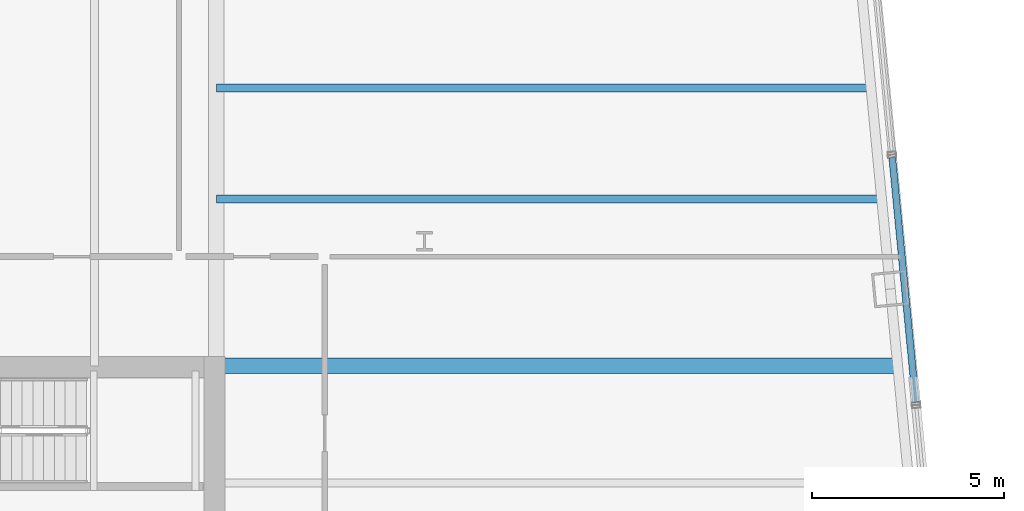
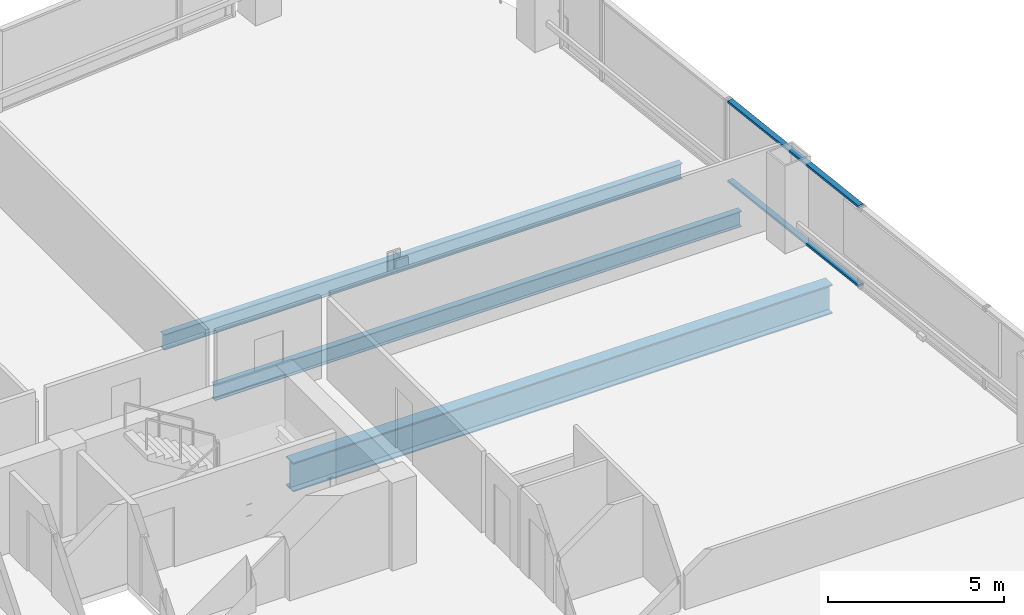
# One storey, part 25 of 34: 3 beams, 2 members, 1 element without a shape of its own.
"""IFC4 building model written with IfcOpenShell, lengths in metres."""

from ifc_helpers import new_model, si_unit, direction, frame, origin, origin_2d, place, context, subcontext, project, spatial, hollow_rectangle, i_section, extrude, material, layer, layer_set, material_profile, profile_set, type_object, element, aggregate, save


model = new_model("IFC4")

# Units and contexts
model_context = context("Model", 3, precision=1e-05, world=origin(), true_north=direction((0.0, 1.0)))
body_context = subcontext(model_context, "Body", "Model", "MODEL_VIEW")
ifc_project = project(units=[si_unit("LENGTHUNIT", "METRE"), si_unit("AREAUNIT", "SQUARE_METRE"), si_unit("VOLUMEUNIT", "CUBIC_METRE"), si_unit("PLANEANGLEUNIT", "RADIAN"), si_unit("MASSUNIT", "GRAM", prefix="KILO")], contexts=[model_context])

# Site, building, storey
site_placement = place(None, origin())
site = spatial("IfcSite", under=ifc_project, at=site_placement, CompositionType="ELEMENT")
building_placement = place(site_placement, origin())
building = spatial("IfcBuilding", under=site, at=building_placement, Name="Qhalaya Broadcast Tower", CompositionType="ELEMENT")
storey_placement = place(building_placement, frame((0.0, 0.0, 78.60009765625)))
storey = spatial("IfcBuildingStorey", under=building, at=storey_placement, Name="L22", CompositionType="ELEMENT", Elevation=78.60009765625)

# Beams
ifc_material_1 = material(Name="Structural Steel ASTM A992 Grade 50", Category="steel")
ifc_material_profile_1 = material_profile(ifc_material_1, i_section(OverallWidth=0.2099609375, OverallDepth=0.535888671875, WebThickness=0.010986328125, FlangeThickness=0.017333984375, at=origin_2d()), Name="W21X68")
ifc_profile_set_1 = profile_set([ifc_material_profile_1], Name="Structural Steel ASTM A992 Grade 50")
beam_type_1 = type_object("IfcBeamType", Name="Composite Floor Joist J02", PredefinedType="JOIST", material=ifc_profile_set_1)
beam_1_placement = place(storey_placement, frame((9.375, 14.300048828125, -0.488037109375), z_axis=(1.0, 0.0, 0.0), x_axis=(0.0, 1.0, 0.0)))
element("IfcBeam", 1, at=beam_1_placement, inside=storey, type_object=beam_type_1, Name="L22 J02 L22-JWE6E-1", PredefinedType="JOIST", context=body_context, shape_type="SweptSolid", body=[
    extrude(i_section(OverallWidth=0.2099609375, OverallDepth=0.535888671875, WebThickness=0.010986328125, FlangeThickness=0.017333984375, at=origin_2d()), origin(), (0.0, 0.0, 1.0), 17.3203125),
])
beam_2_placement = place(storey_placement, frame((9.375, 17.199951171875, -0.488037109375), z_axis=(1.0, 0.0, 0.0), x_axis=(0.0, 1.0, 0.0)))
element("IfcBeam", 2, at=beam_2_placement, inside=storey, type_object=beam_type_1, Name="L22 J02 L22-JWE7E-1", PredefinedType="JOIST", context=body_context, shape_type="SweptSolid", body=[
    extrude(i_section(OverallWidth=0.2099609375, OverallDepth=0.535888671875, WebThickness=0.010986328125, FlangeThickness=0.017333984375, at=origin_2d()), origin(), (0.0, 0.0, 1.0), 17.041015625),
])
ifc_material_profile_2 = material_profile(ifc_material_1, i_section(OverallWidth=0.40087890625, OverallDepth=1.010986328125, WebThickness=0.023681640625, FlangeThickness=0.0419921875, at=origin_2d()), Name="W40X297")
ifc_profile_set_2 = profile_set([ifc_material_profile_2], Name="Structural Steel ASTM A992 Grade 50")
beam_type_2 = type_object("IfcBeamType", Name="Lower Block Primary Girder PG2", PredefinedType="USERDEFINED", material=ifc_profile_set_2)
beam_3_placement = place(storey_placement, frame((9.375, 9.949951171875, -0.7255859375), z_axis=(1.0, 0.0, 0.0), x_axis=(0.0, 1.0, 0.0)))
element("IfcBeam", 3, at=beam_3_placement, inside=storey, type_object=beam_type_2, Name="L22 PG2 L22-PGYE4-1", ObjectType="GIRDER", PredefinedType="USERDEFINED", context=body_context, shape_type="SweptSolid", body=[
    extrude(i_section(OverallWidth=0.40087890625, OverallDepth=1.010986328125, WebThickness=0.023681640625, FlangeThickness=0.0419921875, at=origin_2d()), origin(), (0.0, 0.0, 1.0), 17.7392578125),
])

# Curtain wall, members
ifc_material_2 = material(Name="Solar-Control Low-E Triple Glazing", Category="glass")
ifc_layer = layer(ifc_material_2, 0.219970703125, Name="Solar-Control Low-E Triple Glazing")
ifc_layer_set = layer_set([ifc_layer], Name="Solar-Control Low-E Triple Glazing")
curtain_wall_type = type_object("IfcCurtainWallType", Name="Even-Block 4-Storey Double-Module Curtain Wall CW-03", PredefinedType="NOTDEFINED", material=ifc_layer_set)
curtain_wall_placement = place(storey_placement, origin())
curtain_wall = element("IfcCurtainWall", 4, at=curtain_wall_placement, inside=storey, type_object=curtain_wall_type, Name="L22 Unitised Curtain Wall L22-CW-E5", PredefinedType="NOTDEFINED")
ifc_material_3 = material(Name="Anodised Aluminium 6063-T6", Category="aluminium")
ifc_material_profile_3 = material_profile(ifc_material_3, hollow_rectangle(XDim=0.074951171875, YDim=0.179931640625, WallThickness=0.00390625, at=origin_2d()), Name="ALU-TRN 75x180x4")
ifc_profile_set_3 = profile_set([ifc_material_profile_3], Name="Anodised Aluminium 6063-T6")
member_type = type_object("IfcMemberType", Name="Unitised Curtain-Wall Transom T01", PredefinedType="USERDEFINED", material=ifc_profile_set_3)
member_1_placement = place(storey_placement, frame((27.607421875, 9.0009765625, 0.037353515625), z_axis=(-0.095859052771, 0.995394917609, 0.0), x_axis=(0.0, 0.0, 1.0)))
member_1 = element("IfcMember", 5, at=member_1_placement, type_object=member_type, Name="CW-03 transom 1.1", ObjectType="TRANSOM", PredefinedType="USERDEFINED", context=body_context, shape_type="SweptSolid", body=[
    extrude(hollow_rectangle(XDim=0.074951171875, YDim=0.179931640625, WallThickness=0.00390625, at=origin_2d()), origin(), (0.0, 0.0, 1.0), 6.407958984375),
])
member_2_placement = place(storey_placement, frame((27.607421875, 9.0009765625, 2.79248046875), z_axis=(-0.095859052771, 0.995394917609, 0.0), x_axis=(0.0, 0.0, 1.0)))
member_2 = element("IfcMember", 6, at=member_2_placement, type_object=member_type, Name="CW-03 transom 1.2", ObjectType="TRANSOM", PredefinedType="USERDEFINED", context=body_context, shape_type="SweptSolid", body=[
    extrude(hollow_rectangle(XDim=0.074951171875, YDim=0.179931640625, WallThickness=0.00390625, at=origin_2d()), origin(), (0.0, 0.0, 1.0), 6.407958984375),
])
aggregate(curtain_wall, [member_1, member_2])

save(model, "model.ifc")
